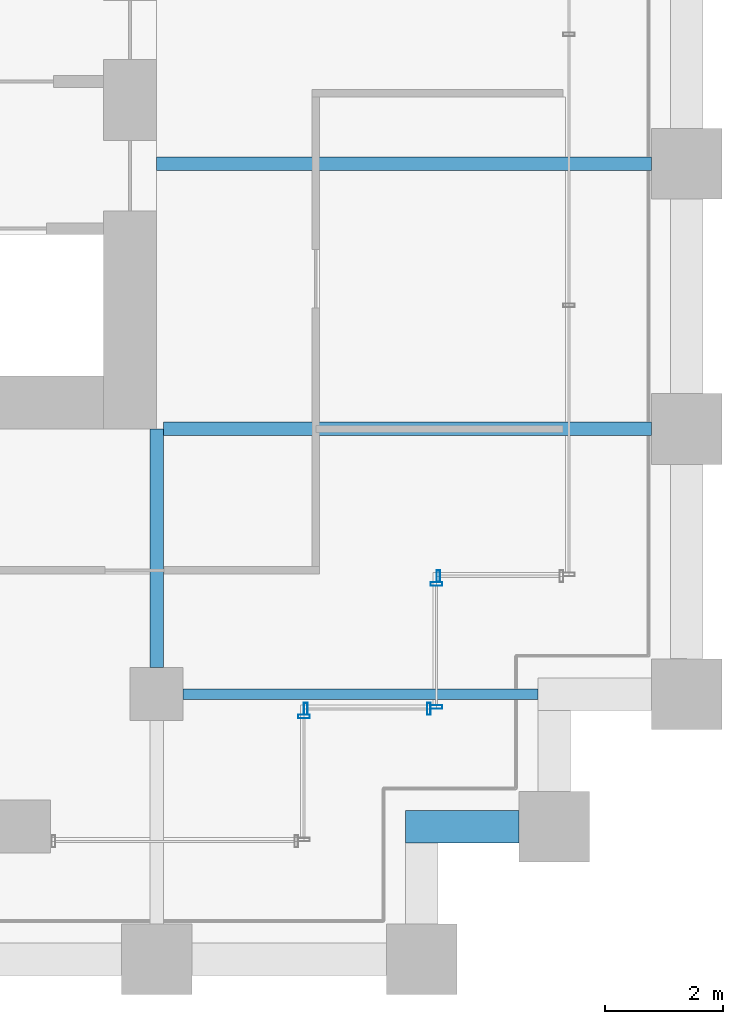
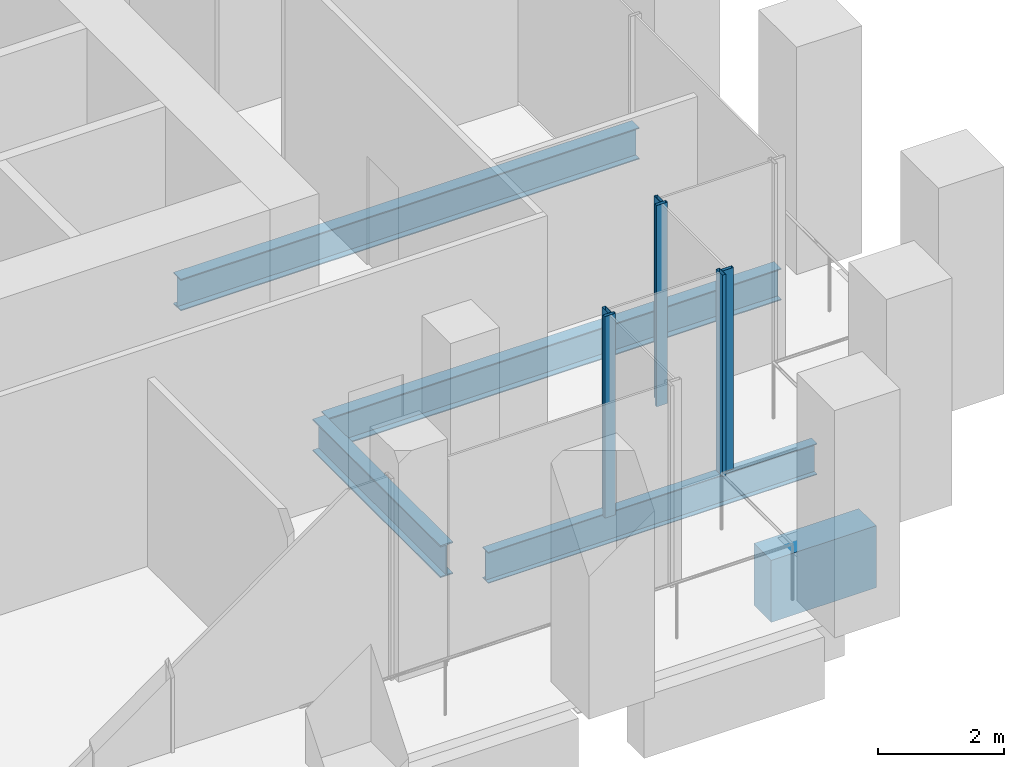
# One storey, part 22 of 36: 6 members, 5 beams, 4 elements without a shape of their own.
"""IFC4 building model written with IfcOpenShell, lengths in metres."""

from ifc_helpers import new_model, si_unit, direction, frame, origin, origin_2d, place, context, subcontext, project, spatial, rectangle, hollow_rectangle, i_section, extrude, material, material_profile, profile_set, type_object, element, aggregate, save


model = new_model("IFC4")

# Units and contexts
model_context = context("Model", 3, precision=1e-05, world=origin(), true_north=direction((0.0, 1.0)))
body_context = subcontext(model_context, "Body", "Model", "MODEL_VIEW")
ifc_project = project(units=[si_unit("LENGTHUNIT", "METRE"), si_unit("AREAUNIT", "SQUARE_METRE"), si_unit("VOLUMEUNIT", "CUBIC_METRE"), si_unit("PLANEANGLEUNIT", "RADIAN"), si_unit("MASSUNIT", "GRAM", prefix="KILO")], contexts=[model_context])

# Site, building, storey
site_placement = place(None, origin())
site = spatial("IfcSite", under=ifc_project, at=site_placement, CompositionType="ELEMENT")
building_placement = place(site_placement, origin())
building = spatial("IfcBuilding", under=site, at=building_placement, Name="Altepetl Exchange Towers", CompositionType="ELEMENT")
storey_placement = place(building_placement, frame((0.0, 0.0, 43.0)))
storey = spatial("IfcBuildingStorey", under=building, at=storey_placement, Name="L09", CompositionType="ELEMENT", Elevation=43.0)

# Beams
ifc_material_1 = material(Name="Steel S355", Category="steel")
ifc_material_profile_1 = material_profile(ifc_material_1, i_section(OverallWidth=0.178955078125, OverallDepth=0.60302734375, WebThickness=0.010986328125, FlangeThickness=0.014892578125, at=origin_2d()), Name="W24X62")
ifc_profile_set_1 = profile_set([ifc_material_profile_1], Name="Steel S355")
beam_type_1 = type_object("IfcBeamType", Name="Floor beam W24X62", PredefinedType="BEAM", material=ifc_profile_set_1)
beam_1_placement = place(storey_placement, frame((117.449951171875, 31.5, -0.4765625), z_axis=(1.0, 0.0, 0.0), x_axis=(0.0, 1.0, 0.0)))
element("IfcBeam", 1, at=beam_1_placement, inside=storey, type_object=beam_type_1, Name="bm:B:L09:004", PredefinedType="BEAM", context=body_context, shape_type="SweptSolid", body=[
    extrude(i_section(OverallWidth=0.178955078125, OverallDepth=0.60302734375, WebThickness=0.010986328125, FlangeThickness=0.014892578125, at=origin_2d()), origin(), (0.0, 0.0, 1.0), 6.025146484375),
])
ifc_material_profile_2 = material_profile(ifc_material_1, i_section(OverallWidth=0.22900390625, OverallDepth=0.612060546875, WebThickness=0.011962890625, FlangeThickness=0.01953125, at=origin_2d()), Name="W24X84")
ifc_profile_set_2 = profile_set([ifc_material_profile_2], Name="Steel S355")
beam_type_2 = type_object("IfcBeamType", Name="Floor beam W24X84", PredefinedType="BEAM", material=ifc_profile_set_2)
beam_2_placement = place(storey_placement, frame((117.114990234375, 36.0, -0.48095703125), z_axis=(1.0, 0.0, 0.0), x_axis=(0.0, 1.0, 0.0)))
element("IfcBeam", 2, at=beam_2_placement, inside=storey, type_object=beam_type_2, Name="bm:B:L09:005", PredefinedType="BEAM", context=body_context, shape_type="SweptSolid", body=[
    extrude(i_section(OverallWidth=0.22900390625, OverallDepth=0.612060546875, WebThickness=0.011962890625, FlangeThickness=0.01953125, at=origin_2d()), origin(), (0.0, 0.0, 1.0), 8.284912109375),
])
beam_3_placement = place(storey_placement, frame((117.0, 40.5, -0.48095703125), z_axis=(1.0, 0.0, 0.0), x_axis=(0.0, 1.0, 0.0)))
element("IfcBeam", 3, at=beam_3_placement, inside=storey, type_object=beam_type_2, Name="bm:B:L09:006", PredefinedType="BEAM", context=body_context, shape_type="SweptSolid", body=[
    extrude(i_section(OverallWidth=0.22900390625, OverallDepth=0.612060546875, WebThickness=0.011962890625, FlangeThickness=0.01953125, at=origin_2d()), origin(), (0.0, 0.0, 1.0), 8.39990234375),
])
ifc_material_profile_3 = material_profile(ifc_material_1, i_section(OverallWidth=0.22900390625, OverallDepth=0.623046875, WebThickness=0.013916015625, FlangeThickness=0.02490234375, at=origin_2d()), Name="W24X103")
ifc_profile_set_3 = profile_set([ifc_material_profile_3], Name="Steel S355")
beam_type_3 = type_object("IfcBeamType", Name="Girder W24X103", PredefinedType="BEAM", material=ifc_profile_set_3)
beam_4_placement = place(storey_placement, frame((117.0, 36.0, -0.486572265625), z_axis=(0.0, -1.0, 0.0), x_axis=(1.0, 0.0, 0.0)))
element("IfcBeam", 4, at=beam_4_placement, inside=storey, type_object=beam_type_3, Name="gd:B:L09:004", PredefinedType="BEAM", context=body_context, shape_type="SweptSolid", body=[
    extrude(i_section(OverallWidth=0.22900390625, OverallDepth=0.623046875, WebThickness=0.013916015625, FlangeThickness=0.02490234375, at=origin_2d()), origin(), (0.0, 0.0, 1.0), 4.050048828125),
])

# Curtain wall, member
ifc_material_2 = material(Name="Aluminium 6063-T6 glazing", Category="aluminium")
curtain_wall_type = type_object("IfcCurtainWallType", Name="Trading floor glazing system", PredefinedType="NOTDEFINED", material=ifc_material_2)
curtain_wall_1_placement = place(storey_placement, origin())
curtain_wall_1 = element("IfcCurtainWall", 5, at=curtain_wall_1_placement, inside=storey, type_object=curtain_wall_type, Name="CW2 run", PredefinedType="NOTDEFINED")
ifc_material_3 = material(Name="Aluminium 6063-T6", Category="aluminium")
ifc_material_profile_4 = material_profile(ifc_material_3, hollow_rectangle(XDim=0.06005859375, YDim=0.199951171875, WallThickness=0.0029296875, at=origin_2d()), Name="Mullion 60x200 aluminium")
ifc_profile_set_4 = profile_set([ifc_material_profile_4], Name="Aluminium 6063-T6")
member_type = type_object("IfcMemberType", Name="Mullion 60x200 aluminium", PredefinedType="MULLION", material=ifc_profile_set_4)
member_1_placement = place(storey_placement, frame((119.5, 31.1201171875, 0.0), z_axis=(0.0, 0.0, 1.0), x_axis=(0.0, 1.0, 0.0)))
member_1 = element("IfcMember", 6, at=member_1_placement, type_object=member_type, Name="MU2 mullion", PredefinedType="MULLION", context=body_context, shape_type="SweptSolid", body=[
    extrude(hollow_rectangle(XDim=0.06005859375, YDim=0.199951171875, WallThickness=0.0029296875, at=origin_2d()), origin(), (0.0, 0.0, 1.0), 3.89990234375),
])
aggregate(curtain_wall_1, [member_1])

# Curtain wall, members
curtain_wall_2_placement = place(storey_placement, origin())
curtain_wall_2 = element("IfcCurtainWall", 7, at=curtain_wall_2_placement, inside=storey, type_object=curtain_wall_type, Name="CW2 run", PredefinedType="NOTDEFINED")
member_2_placement = place(storey_placement, frame((119.530029296875, 31.25, 0.0)))
member_2 = element("IfcMember", 8, at=member_2_placement, type_object=member_type, Name="MU2 mullion", PredefinedType="MULLION", context=body_context, shape_type="SweptSolid", body=[
    extrude(hollow_rectangle(XDim=0.06005859375, YDim=0.199951171875, WallThickness=0.0029296875, at=origin_2d()), origin(), (0.0, 0.0, 1.0), 3.89990234375),
])
member_3_placement = place(storey_placement, frame((121.6201171875, 31.25, 0.0)))
member_3 = element("IfcMember", 9, at=member_3_placement, type_object=member_type, Name="MU2 mullion", PredefinedType="MULLION", context=body_context, shape_type="SweptSolid", body=[
    extrude(hollow_rectangle(XDim=0.06005859375, YDim=0.199951171875, WallThickness=0.0029296875, at=origin_2d()), origin(), (0.0, 0.0, 1.0), 3.89990234375),
])
aggregate(curtain_wall_2, [member_2, member_3])

curtain_wall_3_placement = place(storey_placement, origin())
curtain_wall_3 = element("IfcCurtainWall", 10, at=curtain_wall_3_placement, inside=storey, type_object=curtain_wall_type, Name="CW2 run", PredefinedType="NOTDEFINED")
member_4_placement = place(storey_placement, frame((121.75, 31.280029296875, 0.0), z_axis=(0.0, 0.0, 1.0), x_axis=(0.0, 1.0, 0.0)))
member_4 = element("IfcMember", 11, at=member_4_placement, type_object=member_type, Name="MU2 mullion", PredefinedType="MULLION", context=body_context, shape_type="SweptSolid", body=[
    extrude(hollow_rectangle(XDim=0.06005859375, YDim=0.199951171875, WallThickness=0.0029296875, at=origin_2d()), origin(), (0.0, 0.0, 1.0), 3.89990234375),
])
member_5_placement = place(storey_placement, frame((121.75, 33.3701171875, 0.0), z_axis=(0.0, 0.0, 1.0), x_axis=(0.0, 1.0, 0.0)))
member_5 = element("IfcMember", 12, at=member_5_placement, type_object=member_type, Name="MU2 mullion", PredefinedType="MULLION", context=body_context, shape_type="SweptSolid", body=[
    extrude(hollow_rectangle(XDim=0.06005859375, YDim=0.199951171875, WallThickness=0.0029296875, at=origin_2d()), origin(), (0.0, 0.0, 1.0), 3.89990234375),
])
aggregate(curtain_wall_3, [member_4, member_5])

# Curtain wall, member
curtain_wall_4_placement = place(storey_placement, origin())
curtain_wall_4 = element("IfcCurtainWall", 13, at=curtain_wall_4_placement, inside=storey, type_object=curtain_wall_type, Name="CW2 run", PredefinedType="NOTDEFINED")
member_6_placement = place(storey_placement, frame((121.780029296875, 33.5, 0.0)))
member_6 = element("IfcMember", 14, at=member_6_placement, type_object=member_type, Name="MU2 mullion", PredefinedType="MULLION", context=body_context, shape_type="SweptSolid", body=[
    extrude(hollow_rectangle(XDim=0.06005859375, YDim=0.199951171875, WallThickness=0.0029296875, at=origin_2d()), origin(), (0.0, 0.0, 1.0), 3.89990234375),
])
aggregate(curtain_wall_4, [member_6])

# Beam
ifc_material_4 = material(Name="Concrete C50/60 precast with cantera blanca facing", Category="concrete")
ifc_material_profile_5 = material_profile(ifc_material_4, rectangle(XDim=0.550048828125, YDim=1.199951171875, at=origin_2d()), Name="550 x 1200")
ifc_profile_set_5 = profile_set([ifc_material_profile_5], Name="Concrete C50/60 precast with cantera blanca facing")
beam_type_4 = type_object("IfcBeamType", Name="Spandrel beam 550x1200 cantera blanca", PredefinedType="SPANDREL", material=ifc_profile_set_5)
beam_5_placement = place(storey_placement, frame((121.22509765625, 29.25, -0.77490234375), z_axis=(1.0, 0.0, 0.0), x_axis=(0.0, 1.0, 0.0)))
element("IfcBeam", 15, at=beam_5_placement, inside=storey, type_object=beam_type_4, Name="sp:B:L09:006", PredefinedType="SPANDREL", context=body_context, shape_type="SweptSolid", body=[
    extrude(rectangle(XDim=0.550048828125, YDim=1.199951171875, at=origin_2d()), origin(), (0.0, 0.0, 1.0), 1.9248046875),
])

save(model, "model.ifc")
